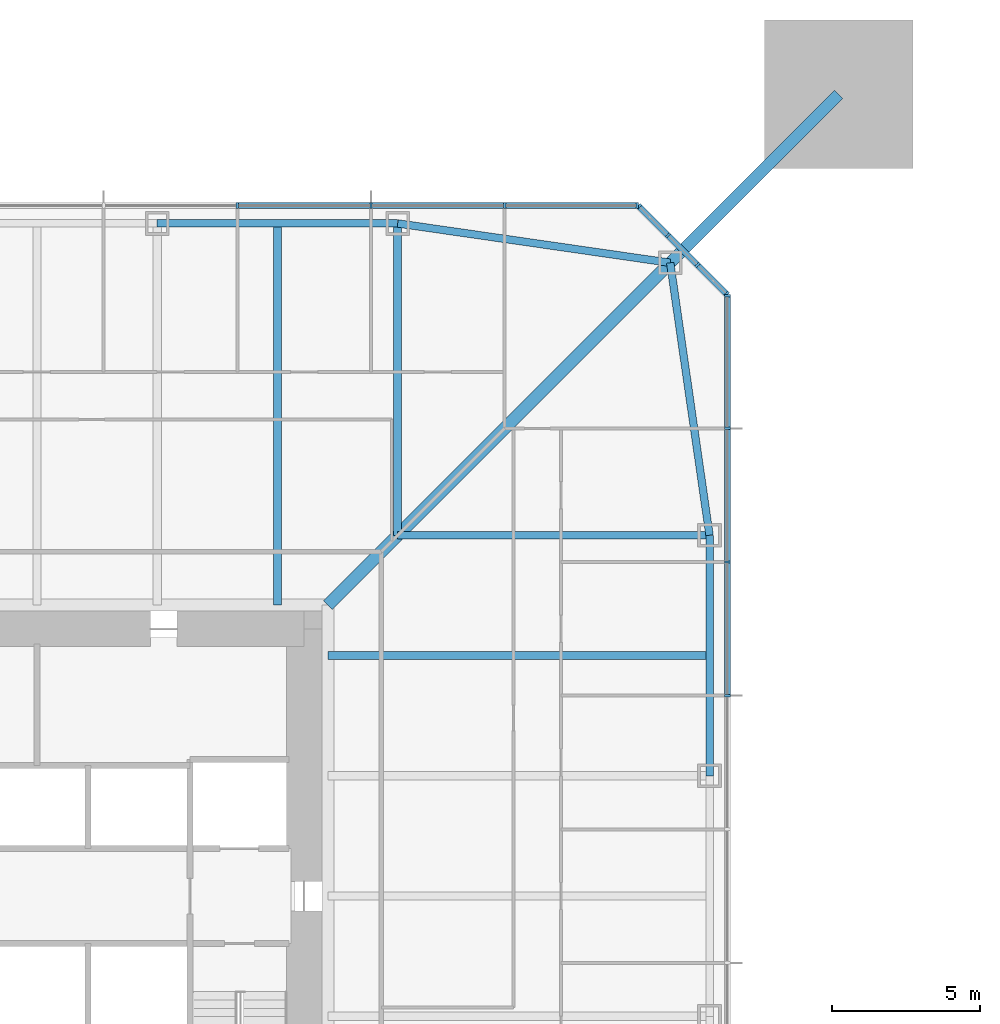
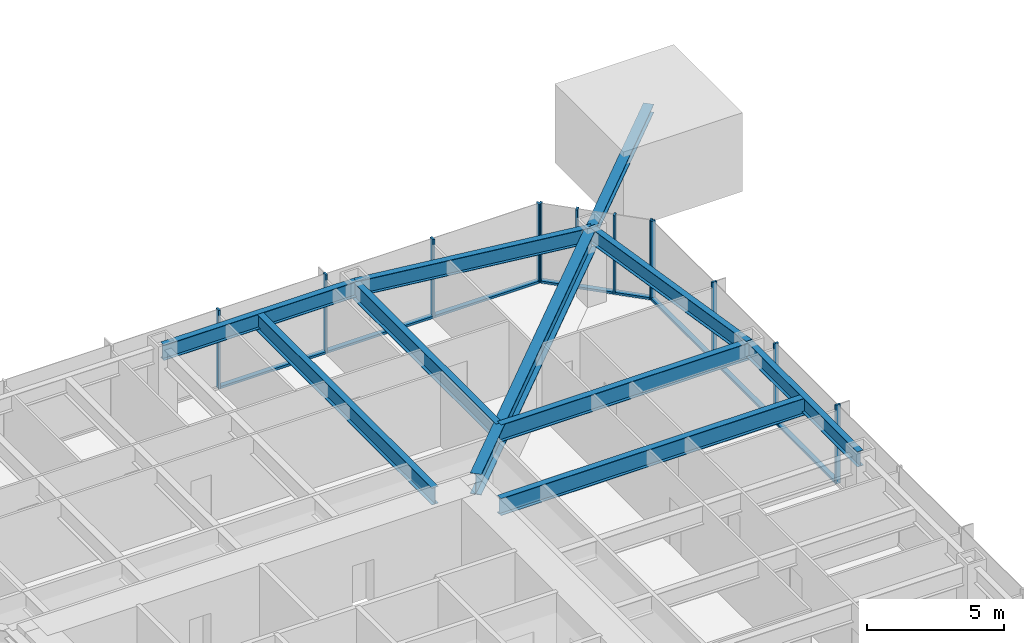
# One storey, part 7 of 26: 22 members, 9 beams, 3 elements without a shape of their own.
"""IFC4 building model written with IfcOpenShell, lengths in metres."""

from ifc_helpers import new_model, si_unit, direction, frame, origin, origin_2d, place, context, subcontext, project, spatial, rectangle, i_section, extrude, material, material_profile, profile_set, type_object, element, aggregate, save


model = new_model("IFC4")

# Units and contexts
model_context = context("Model", 3, precision=1e-05, world=origin(), true_north=direction((0.0, 1.0)))
body_context = subcontext(model_context, "Body", "Model", "MODEL_VIEW")
ifc_project = project(units=[si_unit("LENGTHUNIT", "METRE"), si_unit("AREAUNIT", "SQUARE_METRE"), si_unit("VOLUMEUNIT", "CUBIC_METRE"), si_unit("PLANEANGLEUNIT", "RADIAN"), si_unit("MASSUNIT", "GRAM", prefix="KILO")], contexts=[model_context])

# Site, building, storey
site_placement = place(None, origin())
site = spatial("IfcSite", under=ifc_project, at=site_placement, CompositionType="ELEMENT")
building_placement = place(site_placement, origin())
building = spatial("IfcBuilding", under=site, at=building_placement, Name="Iwan Alto Co-Living Towers", CompositionType="ELEMENT")
storey_placement = place(building_placement, frame((0.0, 0.0, 22.0)))
storey = spatial("IfcBuildingStorey", under=building, at=storey_placement, Name="L05", CompositionType="ELEMENT", Elevation=22.0)

# Curtain wall, members
ifc_material_1 = material(Name="Bronze aluminium unitised frame", Category="aluminium")
curtain_wall_type_1 = type_object("IfcCurtainWallType", Name="CURTAIN WALL CW-A", PredefinedType="NOTDEFINED", material=ifc_material_1)
curtain_wall_1_placement = place(storey_placement, origin())
curtain_wall_1 = element("IfcCurtainWall", 1, at=curtain_wall_1_placement, inside=storey, type_object=curtain_wall_type_1, Name="T1 curtain wall E L05", PredefinedType="NOTDEFINED")
ifc_material_2 = material(Name="Aluminium 6063-T6 bronze anodised", Category="aluminium")
ifc_material_profile_1 = material_profile(ifc_material_2, rectangle(XDim=0.199951171875, YDim=0.080078125, at=origin_2d()), Name="AL 80X200")
ifc_profile_set_1 = profile_set([ifc_material_profile_1], Name="Aluminium 6063-T6 bronze anodised")
member_type_1 = type_object("IfcMemberType", Name="CW-A MULLION 80X200", PredefinedType="MULLION", material=ifc_profile_set_1)
member_1_placement = place(storey_placement, frame((23.25, 6.75, 0.0), z_axis=(0.0, 0.0, 1.0), x_axis=(-1.0, 0.0, 0.0)))
member_1 = element("IfcMember", 2, at=member_1_placement, type_object=member_type_1, Name="CW-A mullion 7", PredefinedType="MULLION", context=body_context, shape_type="SweptSolid", body=[
    extrude(rectangle(XDim=0.199951171875, YDim=0.080078125, at=origin_2d()), origin(), (0.0, 0.0, 1.0), 3.5),
])
member_2_placement = place(storey_placement, frame((23.25, 11.25, 0.0), z_axis=(0.0, 0.0, 1.0), x_axis=(-1.0, 0.0, 0.0)))
member_2 = element("IfcMember", 3, at=member_2_placement, type_object=member_type_1, Name="CW-A mullion 8", PredefinedType="MULLION", context=body_context, shape_type="SweptSolid", body=[
    extrude(rectangle(XDim=0.199951171875, YDim=0.080078125, at=origin_2d()), origin(), (0.0, 0.0, 1.0), 3.5),
])
member_3_placement = place(storey_placement, frame((23.25, 15.75, 0.0), z_axis=(0.0, 0.0, 1.0), x_axis=(-1.0, 0.0, 0.0)))
member_3 = element("IfcMember", 4, at=member_3_placement, type_object=member_type_1, Name="CW-A mullion 9", PredefinedType="MULLION", context=body_context, shape_type="SweptSolid", body=[
    extrude(rectangle(XDim=0.199951171875, YDim=0.080078125, at=origin_2d()), origin(), (0.0, 0.0, 1.0), 3.5),
])
member_4_placement = place(storey_placement, frame((23.25, 20.2099609375, 0.0), z_axis=(0.0, 0.0, 1.0), x_axis=(-1.0, 0.0, 0.0)))
member_4 = element("IfcMember", 5, at=member_4_placement, type_object=member_type_1, Name="CW-A mullion 10", PredefinedType="MULLION", context=body_context, shape_type="SweptSolid", body=[
    extrude(rectangle(XDim=0.199951171875, YDim=0.080078125, at=origin_2d()), origin(), (0.0, 0.0, 1.0), 3.5),
])

curtain_wall_2_placement = place(storey_placement, origin())
curtain_wall_2 = element("IfcCurtainWall", 6, at=curtain_wall_2_placement, inside=storey, type_object=curtain_wall_type_1, Name="T1 curtain wall N L05", PredefinedType="NOTDEFINED")
member_5_placement = place(storey_placement, frame((20.2099609375, 23.25, 0.0), z_axis=(0.0, 0.0, 1.0), x_axis=(0.0, -1.0, 0.0)))
member_5 = element("IfcMember", 7, at=member_5_placement, type_object=member_type_1, Name="CW-A mullion 1", PredefinedType="MULLION", context=body_context, shape_type="SweptSolid", body=[
    extrude(rectangle(XDim=0.199951171875, YDim=0.080078125, at=origin_2d()), origin(), (0.0, 0.0, 1.0), 3.5),
])
member_6_placement = place(storey_placement, frame((15.75, 23.25, 0.0), z_axis=(0.0, 0.0, 1.0), x_axis=(0.0, -1.0, 0.0)))
member_6 = element("IfcMember", 8, at=member_6_placement, type_object=member_type_1, Name="CW-A mullion 2", PredefinedType="MULLION", context=body_context, shape_type="SweptSolid", body=[
    extrude(rectangle(XDim=0.199951171875, YDim=0.080078125, at=origin_2d()), origin(), (0.0, 0.0, 1.0), 3.5),
])
member_7_placement = place(storey_placement, frame((11.25, 23.25, 0.0), z_axis=(0.0, 0.0, 1.0), x_axis=(0.0, -1.0, 0.0)))
member_7 = element("IfcMember", 9, at=member_7_placement, type_object=member_type_1, Name="CW-A mullion 3", PredefinedType="MULLION", context=body_context, shape_type="SweptSolid", body=[
    extrude(rectangle(XDim=0.199951171875, YDim=0.080078125, at=origin_2d()), origin(), (0.0, 0.0, 1.0), 3.5),
])
member_8_placement = place(storey_placement, frame((6.75, 23.25, 0.0), z_axis=(0.0, 0.0, 1.0), x_axis=(0.0, -1.0, 0.0)))
member_8 = element("IfcMember", 10, at=member_8_placement, type_object=member_type_1, Name="CW-A mullion 4", PredefinedType="MULLION", context=body_context, shape_type="SweptSolid", body=[
    extrude(rectangle(XDim=0.199951171875, YDim=0.080078125, at=origin_2d()), origin(), (0.0, 0.0, 1.0), 3.5),
])

# Member
ifc_material_3 = material(Name="Aluminium 6063-T6 bronze anodised", Category="aluminium")
ifc_material_profile_2 = material_profile(ifc_material_3, rectangle(XDim=0.199951171875, YDim=0.10009765625, at=origin_2d()), Name="AL 200X100")
ifc_profile_set_2 = profile_set([ifc_material_profile_2], Name="Aluminium 6063-T6 bronze anodised")
member_type_2 = type_object("IfcMemberType", Name="CW-A TRANSOM 200X100", PredefinedType="USERDEFINED", material=ifc_profile_set_2)
member_9_placement = place(storey_placement, frame((23.25, 6.7900390625, 0.050048828125), z_axis=(0.0, 1.0, 0.0), x_axis=(-1.0, 0.0, 0.0)))
member_9 = element("IfcMember", 11, at=member_9_placement, type_object=member_type_2, Name="CW-A transom 7.1", ObjectType="TRANSOM", PredefinedType="USERDEFINED", context=body_context, shape_type="SweptSolid", body=[
    extrude(rectangle(XDim=0.199951171875, YDim=0.10009765625, at=origin_2d()), origin(), (0.0, 0.0, 1.0), 4.419921875),
])

member_10_placement = place(storey_placement, frame((23.25, 11.2900390625, 0.050048828125), z_axis=(0.0, 1.0, 0.0), x_axis=(-1.0, 0.0, 0.0)))
member_10 = element("IfcMember", 12, at=member_10_placement, type_object=member_type_2, Name="CW-A transom 8.1", ObjectType="TRANSOM", PredefinedType="USERDEFINED", context=body_context, shape_type="SweptSolid", body=[
    extrude(rectangle(XDim=0.199951171875, YDim=0.10009765625, at=origin_2d()), origin(), (0.0, 0.0, 1.0), 4.419921875),
])

member_11_placement = place(storey_placement, frame((23.25, 15.7900390625, 0.050048828125), z_axis=(0.0, 1.0, 0.0), x_axis=(-1.0, 0.0, 0.0)))
member_11 = element("IfcMember", 13, at=member_11_placement, type_object=member_type_2, Name="CW-A transom 9.1", ObjectType="TRANSOM", PredefinedType="USERDEFINED", context=body_context, shape_type="SweptSolid", body=[
    extrude(rectangle(XDim=0.199951171875, YDim=0.10009765625, at=origin_2d()), origin(), (0.0, 0.0, 1.0), 4.3798828125),
])

aggregate(curtain_wall_1, [member_1, member_2, member_3, member_4, member_9, member_10, member_11])

member_12_placement = place(storey_placement, frame((20.169921875, 23.25, 0.050048828125), z_axis=(-1.0, 0.0, 0.0), x_axis=(0.0, -1.0, 0.0)))
member_12 = element("IfcMember", 14, at=member_12_placement, type_object=member_type_2, Name="CW-A transom 1.1", ObjectType="TRANSOM", PredefinedType="USERDEFINED", context=body_context, shape_type="SweptSolid", body=[
    extrude(rectangle(XDim=0.199951171875, YDim=0.10009765625, at=origin_2d()), origin(), (0.0, 0.0, 1.0), 4.3798828125),
])

member_13_placement = place(storey_placement, frame((15.7099609375, 23.25, 0.050048828125), z_axis=(-1.0, 0.0, 0.0), x_axis=(0.0, -1.0, 0.0)))
member_13 = element("IfcMember", 15, at=member_13_placement, type_object=member_type_2, Name="CW-A transom 2.1", ObjectType="TRANSOM", PredefinedType="USERDEFINED", context=body_context, shape_type="SweptSolid", body=[
    extrude(rectangle(XDim=0.199951171875, YDim=0.10009765625, at=origin_2d()), origin(), (0.0, 0.0, 1.0), 4.419921875),
])

member_14_placement = place(storey_placement, frame((11.2099609375, 23.25, 0.050048828125), z_axis=(-1.0, 0.0, 0.0), x_axis=(0.0, -1.0, 0.0)))
member_14 = element("IfcMember", 16, at=member_14_placement, type_object=member_type_2, Name="CW-A transom 3.1", ObjectType="TRANSOM", PredefinedType="USERDEFINED", context=body_context, shape_type="SweptSolid", body=[
    extrude(rectangle(XDim=0.199951171875, YDim=0.10009765625, at=origin_2d()), origin(), (0.0, 0.0, 1.0), 4.419921875),
])

aggregate(curtain_wall_2, [member_5, member_6, member_7, member_8, member_12, member_13, member_14])

# Curtain wall, members
ifc_material_4 = material(Name="Bronze aluminium unitised frame", Category="aluminium")
curtain_wall_type_2 = type_object("IfcCurtainWallType", Name="CURTAIN WALL CW-B", PredefinedType="NOTDEFINED", material=ifc_material_4)
curtain_wall_3_placement = place(storey_placement, origin())
curtain_wall_3 = element("IfcCurtainWall", 17, at=curtain_wall_3_placement, inside=storey, type_object=curtain_wall_type_2, Name="T1 chamfer curtain wall NE L05", PredefinedType="NOTDEFINED")
ifc_material_5 = material(Name="Aluminium 6063-T6 bronze anodised", Category="aluminium")
ifc_material_profile_3 = material_profile(ifc_material_5, rectangle(XDim=0.199951171875, YDim=0.080078125, at=origin_2d()), Name="AL 80X200")
ifc_profile_set_3 = profile_set([ifc_material_profile_3], Name="Aluminium 6063-T6 bronze anodised")
member_type_3 = type_object("IfcMemberType", Name="CW-B MULLION 80X200", PredefinedType="MULLION", material=ifc_profile_set_3)
member_15_placement = place(storey_placement, frame((23.2216796875, 20.2783203125, 0.0), z_axis=(0.0, 0.0, 1.0), x_axis=(-0.707106781187, -0.707106781187, 0.0)))
member_15 = element("IfcMember", 18, at=member_15_placement, type_object=member_type_3, Name="CW-B mullion 1", PredefinedType="MULLION", context=body_context, shape_type="SweptSolid", body=[
    extrude(rectangle(XDim=0.199951171875, YDim=0.080078125, at=origin_2d()), origin(), (0.0, 0.0, 1.0), 3.5),
])
member_16_placement = place(storey_placement, frame((22.25, 21.25, 0.0), z_axis=(0.0, 0.0, 1.0), x_axis=(-0.707106781187, -0.707106781187, 0.0)))
member_16 = element("IfcMember", 19, at=member_16_placement, type_object=member_type_3, Name="CW-B mullion 2", PredefinedType="MULLION", context=body_context, shape_type="SweptSolid", body=[
    extrude(rectangle(XDim=0.199951171875, YDim=0.080078125, at=origin_2d()), origin(), (0.0, 0.0, 1.0), 3.5),
])
member_17_placement = place(storey_placement, frame((21.25, 22.25, 0.0), z_axis=(0.0, 0.0, 1.0), x_axis=(-0.707106781187, -0.707106781187, 0.0)))
member_17 = element("IfcMember", 20, at=member_17_placement, type_object=member_type_3, Name="CW-B mullion 3", PredefinedType="MULLION", context=body_context, shape_type="SweptSolid", body=[
    extrude(rectangle(XDim=0.199951171875, YDim=0.080078125, at=origin_2d()), origin(), (0.0, 0.0, 1.0), 3.5),
])
member_18_placement = place(storey_placement, frame((20.2783203125, 23.2216796875, 0.0), z_axis=(0.0, 0.0, 1.0), x_axis=(-0.707106781187, -0.707106781187, 0.0)))
member_18 = element("IfcMember", 21, at=member_18_placement, type_object=member_type_3, Name="CW-B mullion 4", PredefinedType="MULLION", context=body_context, shape_type="SweptSolid", body=[
    extrude(rectangle(XDim=0.199951171875, YDim=0.080078125, at=origin_2d()), origin(), (0.0, 0.0, 1.0), 3.5),
])
ifc_material_6 = material(Name="Aluminium 6063-T6 bronze anodised", Category="aluminium")
ifc_material_profile_4 = material_profile(ifc_material_6, rectangle(XDim=0.199951171875, YDim=0.10009765625, at=origin_2d()), Name="AL 200X100")
ifc_profile_set_4 = profile_set([ifc_material_profile_4], Name="Aluminium 6063-T6 bronze anodised")
member_type_4 = type_object("IfcMemberType", Name="CW-B TRANSOM 200X100", PredefinedType="USERDEFINED", material=ifc_profile_set_4)
member_19_placement = place(storey_placement, frame((23.193359375, 20.306640625, 0.050048828125), z_axis=(-0.707106781187, 0.707106781187, 0.0), x_axis=(-0.707106781187, -0.707106781187, 0.0)))
member_19 = element("IfcMember", 22, at=member_19_placement, type_object=member_type_4, Name="CW-B transom 1.1", ObjectType="TRANSOM", PredefinedType="USERDEFINED", context=body_context, shape_type="SweptSolid", body=[
    extrude(rectangle(XDim=0.199951171875, YDim=0.10009765625, at=origin_2d()), origin(), (0.0, 0.0, 1.0), 1.2939453125),
])
member_20_placement = place(storey_placement, frame((22.2216796875, 21.2783203125, 0.050048828125), z_axis=(-0.707106781187, 0.707106781187, 0.0), x_axis=(-0.707106781187, -0.707106781187, 0.0)))
member_20 = element("IfcMember", 23, at=member_20_placement, type_object=member_type_4, Name="CW-B transom 2.1", ObjectType="TRANSOM", PredefinedType="USERDEFINED", context=body_context, shape_type="SweptSolid", body=[
    extrude(rectangle(XDim=0.199951171875, YDim=0.10009765625, at=origin_2d()), origin(), (0.0, 0.0, 1.0), 1.334228515625),
])
member_21_placement = place(storey_placement, frame((21.2216796875, 22.2783203125, 0.050048828125), z_axis=(-0.707106781187, 0.707106781187, 0.0), x_axis=(-0.707106781187, -0.707106781187, 0.0)))
member_21 = element("IfcMember", 24, at=member_21_placement, type_object=member_type_4, Name="CW-B transom 3.1", ObjectType="TRANSOM", PredefinedType="USERDEFINED", context=body_context, shape_type="SweptSolid", body=[
    extrude(rectangle(XDim=0.199951171875, YDim=0.10009765625, at=origin_2d()), origin(), (0.0, 0.0, 1.0), 1.2939453125),
])
aggregate(curtain_wall_3, [member_15, member_16, member_17, member_18, member_19, member_20, member_21])

# Beams
ifc_material_7 = material(Name="Steel ASTM A992 Gr 50", Category="steel")
ifc_material_profile_5 = material_profile(ifc_material_7, i_section(OverallWidth=0.419189453125, OverallDepth=0.927001953125, WebThickness=0.019287109375, FlangeThickness=0.031982421875, at=origin_2d()), Name="W36X231")
ifc_profile_set_5 = profile_set([ifc_material_profile_5], Name="Steel ASTM A992 Gr 50")
beam_type_1 = type_object("IfcBeamType", Name="T1 CORNER GIRDER W36X231", PredefinedType="BEAM", material=ifc_profile_set_5)
beam_1_placement = place(storey_placement, frame((21.32568359375, 21.32568359375, 2.806396484375), z_axis=(-0.707106781187, -0.707106781187, 0.0), x_axis=(0.707106781187, -0.707106781187, 0.0)))
element("IfcBeam", 25, at=beam_1_placement, inside=storey, type_object=beam_type_1, Name="T1 corner girder CNE L06", PredefinedType="BEAM", context=body_context, shape_type="SweptSolid", body=[
    extrude(i_section(OverallWidth=0.419189453125, OverallDepth=0.927001953125, WebThickness=0.019287109375, FlangeThickness=0.031982421875, at=origin_2d()), origin(), (0.0, 0.0, 1.0), 16.296875),
])
ifc_material_8 = material(Name="Steel ASTM A992 Gr 50", Category="steel")
ifc_material_profile_6 = material_profile(ifc_material_8, i_section(OverallWidth=0.25390625, OverallDepth=0.683349609375, WebThickness=0.012451171875, FlangeThickness=0.018798828125, at=origin_2d()), Name="W27X94")
ifc_profile_set_6 = profile_set([ifc_material_profile_6], Name="Steel ASTM A992 Gr 50")
beam_type_2 = type_object("IfcBeamType", Name="T1 EDGE BEAM W27X94", PredefinedType="BEAM", material=ifc_profile_set_6)
beam_2_placement = place(storey_placement, frame((22.64990234375, 4.050048828125, 2.928466796875), z_axis=(0.0, 1.0, 0.0), x_axis=(-1.0, 0.0, 0.0)))
element("IfcBeam", 26, at=beam_2_placement, inside=storey, type_object=beam_type_2, Name="T1 edge beam E3 L06", PredefinedType="BEAM", context=body_context, shape_type="SweptSolid", body=[
    extrude(i_section(OverallWidth=0.25390625, OverallDepth=0.683349609375, WebThickness=0.012451171875, FlangeThickness=0.018798828125, at=origin_2d()), origin(), (0.0, 0.0, 1.0), 8.099853515625),
])
for number, where, z_axis, x_axis, name in (
    (27, (22.64990234375, 12.14990234375, 2.928466796875), (-0.142836940589, 0.989746234347, 0.0), (-0.989746234347, -0.142836940589, 0.0), "T1 edge beam E4 L06"),
    (28, (21.32568359375, 21.32568359375, 2.928466796875), (-0.989746234347, 0.142836940589, 0.0), (-0.142836940589, -0.989746234347, 0.0), "T1 edge beam CNE L06"),
):
    element("IfcBeam", number, at=place(storey_placement, frame(where, z_axis=z_axis, x_axis=x_axis)), inside=storey, type_object=beam_type_2, Name=name, PredefinedType="BEAM", context=body_context, shape_type="SweptSolid", body=[
        extrude(i_section(OverallWidth=0.25390625, OverallDepth=0.683349609375, WebThickness=0.012451171875, FlangeThickness=0.018798828125, at=origin_2d()), origin(), (0.0, 0.0, 1.0), 9.270751953125),
    ])
beam_3_placement = place(storey_placement, frame((12.14990234375, 22.64990234375, 2.928466796875), z_axis=(-1.0, 0.0, 0.0), x_axis=(0.0, -1.0, 0.0)))
element("IfcBeam", 29, at=beam_3_placement, inside=storey, type_object=beam_type_2, Name="T1 edge beam N1 L06", PredefinedType="BEAM", context=body_context, shape_type="SweptSolid", body=[
    extrude(i_section(OverallWidth=0.25390625, OverallDepth=0.683349609375, WebThickness=0.012451171875, FlangeThickness=0.018798828125, at=origin_2d()), origin(), (0.0, 0.0, 1.0), 8.099853515625),
])

# Member
ifc_material_9 = material(Name="Steel ASTM A992 Gr 50", Category="steel")
ifc_material_profile_7 = material_profile(ifc_material_9, i_section(OverallWidth=0.393798828125, OverallDepth=0.3759765625, WebThickness=0.017333984375, FlangeThickness=0.027587890625, at=origin_2d()), Name="W14X145")
ifc_profile_set_7 = profile_set([ifc_material_profile_7], Name="Steel ASTM A992 Gr 50")
member_type_5 = type_object("IfcMemberType", Name="T1 MEGA COLUMN FLOOR TIE W14X145", PredefinedType="STRUT", material=ifc_profile_set_7)
member_22_placement = place(storey_placement, frame((27.0, 27.0, 3.08203125), z_axis=(-0.707106781187, -0.707106781187, 0.0), x_axis=(0.707106781187, -0.707106781187, 0.0)))
element("IfcMember", 30, at=member_22_placement, inside=storey, type_object=member_type_5, Name="T1 mega column floor tie NE L06", PredefinedType="STRUT", context=body_context, shape_type="SweptSolid", body=[
    extrude(i_section(OverallWidth=0.393798828125, OverallDepth=0.3759765625, WebThickness=0.017333984375, FlangeThickness=0.027587890625, at=origin_2d()), origin(), (0.0, 0.0, 1.0), 8.024658203125),
])

# Beams
ifc_material_10 = material(Name="Steel ASTM A992 Gr 50", Category="steel")
ifc_material_profile_8 = material_profile(ifc_material_10, i_section(OverallWidth=0.2666015625, OverallDepth=0.761962890625, WebThickness=0.014404296875, FlangeThickness=0.021484375, at=origin_2d()), Name="W30X116")
ifc_profile_set_8 = profile_set([ifc_material_profile_8], Name="Steel ASTM A992 Gr 50")
beam_type_3 = type_object("IfcBeamType", Name="T1 RADIAL BEAM W30X116", PredefinedType="BEAM", material=ifc_profile_set_8)
for number, where, z_axis, x_axis, name in (
    (31, (22.64990234375, 12.14990234375, 2.888916015625), (-1.0, 0.0, 0.0), (0.0, -1.0, 0.0), "T1 radial beam E4 L06"),
    (32, (12.14990234375, 22.64990234375, 2.888916015625), (0.0, -1.0, 0.0), (1.0, 0.0, 0.0), "T1 radial beam N1 L06"),
):
    element("IfcBeam", number, at=place(storey_placement, frame(where, z_axis=z_axis, x_axis=x_axis)), inside=storey, type_object=beam_type_3, Name=name, PredefinedType="BEAM", context=body_context, shape_type="SweptSolid", body=[
        extrude(i_section(OverallWidth=0.2666015625, OverallDepth=0.761962890625, WebThickness=0.014404296875, FlangeThickness=0.021484375, at=origin_2d()), origin(), (0.0, 0.0, 1.0), 10.5),
    ])
ifc_material_11 = material(Name="Steel ASTM A992 Gr 50", Category="steel")
ifc_material_profile_9 = material_profile(ifc_material_11, i_section(OverallWidth=0.2666015625, OverallDepth=0.761962890625, WebThickness=0.014404296875, FlangeThickness=0.021484375, at=origin_2d()), Name="W30X116")
ifc_profile_set_9 = profile_set([ifc_material_profile_9], Name="Steel ASTM A992 Gr 50")
beam_type_4 = type_object("IfcBeamType", Name="T1 SECONDARY BEAM W30X116", PredefinedType="JOIST", material=ifc_profile_set_9)
for number, where, z_axis, x_axis, name in (
    (33, (22.64990234375, 8.10009765625, 2.888916015625), (-1.0, 0.0, 0.0), (0.0, -1.0, 0.0), "T1 secondary beam E3 L06"),
    (34, (8.10009765625, 22.64990234375, 2.888916015625), (0.0, -1.0, 0.0), (1.0, 0.0, 0.0), "T1 secondary beam N1 L06"),
):
    element("IfcBeam", number, at=place(storey_placement, frame(where, z_axis=z_axis, x_axis=x_axis)), inside=storey, type_object=beam_type_4, Name=name, PredefinedType="JOIST", context=body_context, shape_type="SweptSolid", body=[
        extrude(i_section(OverallWidth=0.2666015625, OverallDepth=0.761962890625, WebThickness=0.014404296875, FlangeThickness=0.021484375, at=origin_2d()), origin(), (0.0, 0.0, 1.0), 12.847900390625),
    ])

save(model, "model.ifc")
